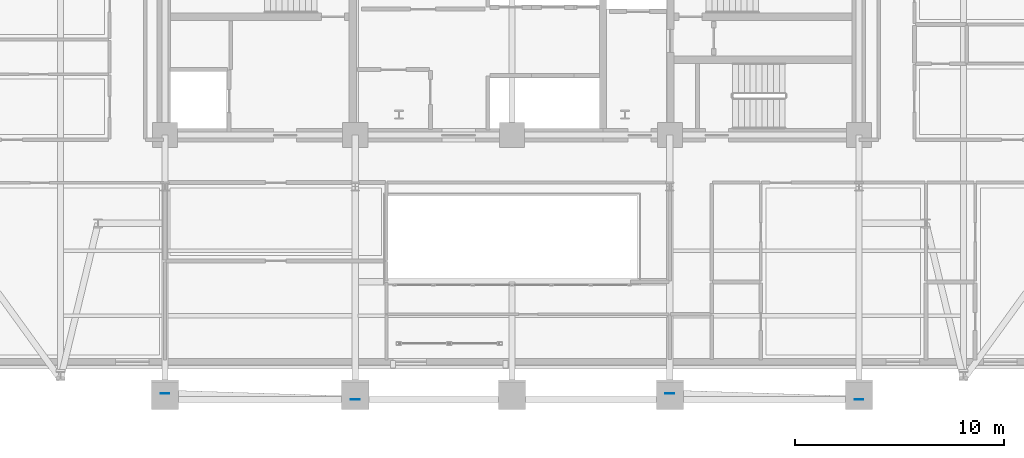
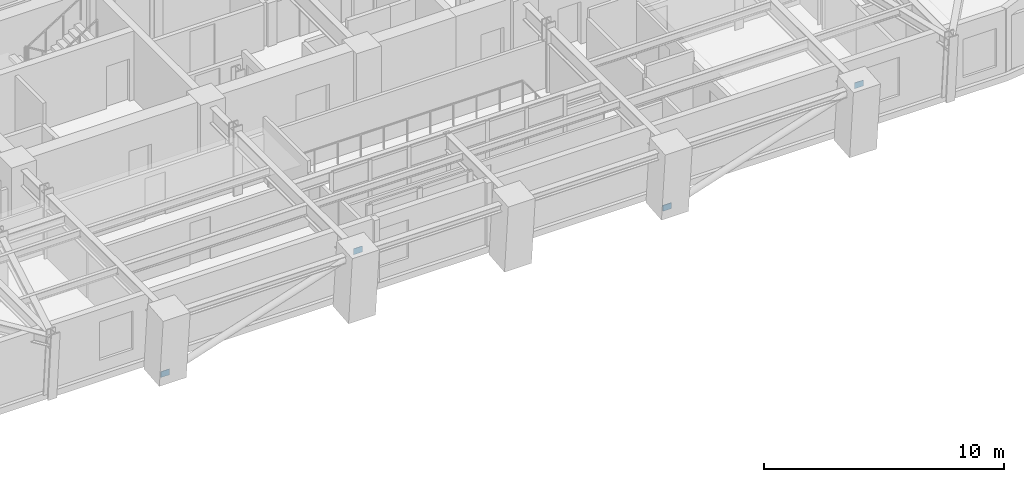
# One storey, part 7 of 16: 4 plates.
"""IFC4 building model written with IfcOpenShell, lengths in metres."""

from ifc_helpers import new_model, si_unit, direction, frame, origin, origin_2d, place, context, subcontext, project, spatial, rectangle, extrude, material, layer, layer_set, type_object, element, save


model = new_model("IFC4")

# Units and contexts
model_context = context("Model", 3, precision=1e-05, world=origin(), true_north=direction((0.0, 1.0)))
body_context = subcontext(model_context, "Body", "Model", "MODEL_VIEW")
ifc_project = project(units=[si_unit("LENGTHUNIT", "METRE"), si_unit("AREAUNIT", "SQUARE_METRE"), si_unit("VOLUMEUNIT", "CUBIC_METRE"), si_unit("PLANEANGLEUNIT", "RADIAN"), si_unit("MASSUNIT", "GRAM", prefix="KILO")], contexts=[model_context])

# Site, building, storey
site_placement = place(None, origin())
site = spatial("IfcSite", under=ifc_project, at=site_placement, CompositionType="ELEMENT")
building_placement = place(site_placement, origin())
building = spatial("IfcBuilding", under=site, at=building_placement, Name="Zarnavel Station Tower", CompositionType="ELEMENT")
storey_placement = place(building_placement, frame((0.0, 0.0, 118.800048828125)))
storey = spatial("IfcBuildingStorey", under=building, at=storey_placement, Name="L32", CompositionType="ELEMENT", Elevation=118.800048828125)

# Plates
ifc_material = material(Name="Steel S460M", Category="steel")
ifc_layer = layer(ifc_material, 0.02490234375)
ifc_layer_set = layer_set([ifc_layer], Name="GP_GUSSET_25")
plate_type = type_object("IfcPlateType", Name="GP_GUSSET_25", PredefinedType="USERDEFINED", material=ifc_layer_set)
for number, where, z_axis, x_axis, name in (
    (1, (12.199951171875, 15.46240234375, -0.14990234375), (0.0, 0.0, 1.0), (1.0, 0.0, 0.0), "L32 Exterior Diagonal Brace End Gusset 1-1"),
    (2, (21.300048828125, 15.168701171875, 3.08984375), (0.0, 0.0, 1.0), (1.0, 0.0, 0.0), "L32 Exterior Diagonal Brace End Gusset 1-2"),
    (3, (36.35009765625, 15.46240234375, -0.14990234375), (0.0, 0.0, 1.0), (1.0, 0.0, 0.0), "L32 Exterior Diagonal Brace End Gusset 2-1"),
    (4, (45.39990234375, 15.168701171875, 3.08984375), (0.0, 0.0, 1.0), (1.0, 0.0, 0.0), "L32 Exterior Diagonal Brace End Gusset 2-2"),
):
    element("IfcPlate", number, at=place(storey_placement, frame(where, z_axis=z_axis, x_axis=x_axis)), inside=storey, type_object=plate_type, Name=name, ObjectType="GUSSET_PLATE", PredefinedType="USERDEFINED", context=body_context, shape_type="SweptSolid", body=[
        extrude(rectangle(XDim=0.419921875, YDim=0.02490234375, at=origin_2d()), origin(), (0.0, 0.0, 1.0), 0.300048828125),
    ])

save(model, "model.ifc")
